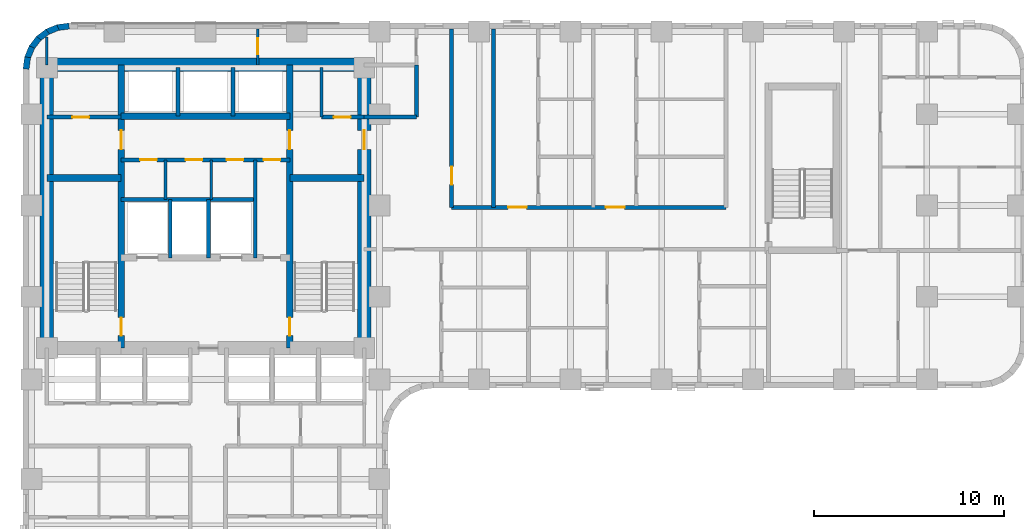
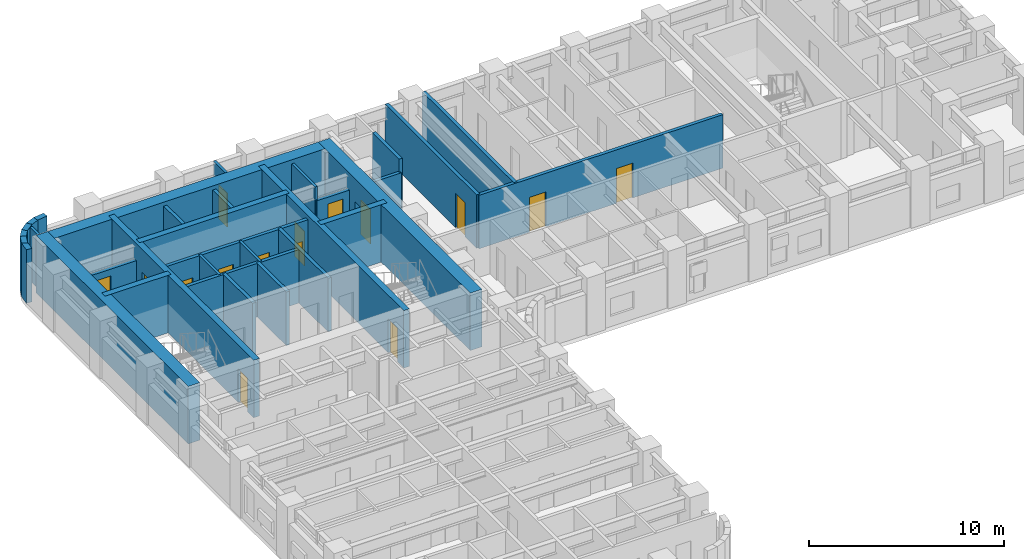
# One storey, part 6 of 11: 33 walls, 15 doors, 15 openings.
"""IFC4 building model written with IfcOpenShell, lengths in metres."""

from ifc_helpers import new_model, si_unit, direction, frame, frame_2d, origin, place, context, subcontext, project, spatial, rectangle, extrude, material, layer, layer_set, type_object, element, fill, save


model = new_model("IFC4")

# Units and contexts
model_context = context("Model", 3, precision=1e-05, world=origin(), true_north=direction((0.0, 1.0)))
body_context = subcontext(model_context, "Body", "Model", "MODEL_VIEW")
ifc_project = project(units=[si_unit("LENGTHUNIT", "METRE"), si_unit("AREAUNIT", "SQUARE_METRE"), si_unit("VOLUMEUNIT", "CUBIC_METRE"), si_unit("PLANEANGLEUNIT", "RADIAN"), si_unit("MASSUNIT", "GRAM", prefix="KILO")], contexts=[model_context])

# Site, building, storey
site_placement = place(None, origin())
site = spatial("IfcSite", under=ifc_project, at=site_placement, CompositionType="ELEMENT")
building_placement = place(site_placement, origin())
building = spatial("IfcBuilding", under=site, at=building_placement, Name="Orvandelia Arch Residences", CompositionType="ELEMENT")
storey_placement = place(building_placement, frame((0.0, 0.0, 25.0)))
storey = spatial("IfcBuildingStorey", under=building, at=storey_placement, Name="L05", CompositionType="ELEMENT", Elevation=25.0)

# Wall, openings, doors
ifc_material_1 = material(Name="Concrete C50/60", Category="concrete")
ifc_layer_1 = layer(ifc_material_1, 0.35009765625, Name="Concrete C50/60", Category="concrete")
ifc_layer_set_1 = layer_set([ifc_layer_1], Name="Concrete C50/60")
wall_type_1 = type_object("IfcWallType", Name="WL-CORE-350", PredefinedType="SHEAR", material=ifc_layer_set_1)
wall_1_placement = place(storey_placement, frame((9.9599609375, 30.89990234375, 0.0), z_axis=(0.0, 0.0, 1.0), x_axis=(0.0, 1.0, 0.0)))
wall_1 = element("IfcWall", 1, at=wall_1_placement, inside=storey, type_object=wall_type_1, Name="Core Shear Wall L05-WEB1", PredefinedType="SHEAR", context=body_context, shape_type="SweptSolid", body=[
    extrude(rectangle(XDim=14.900146484375, YDim=0.35009765625, at=frame_2d((7.4501953125, 0.0))), origin(), (0.0, 0.0, 1.0), 3.60009765625),
])
opening_1_placement = place(wall_1_placement, frame((0.64990234375, 0.0, 0.0)))
opening_1 = element("IfcOpeningElement", 2, at=opening_1_placement, cuts=wall_1, Name="Opening D7", PredefinedType="OPENING", context=body_context, shape_type="SweptSolid", body=[
    extrude(rectangle(XDim=0.949951171875, YDim=2.10009765625, at=frame_2d((0.47509765625, 1.050048828125))), frame((0.0, 0.18505859375, 0.0), z_axis=(0.0, -1.0, 0.0), x_axis=(1.0, 0.0, 0.0)), (0.0, 0.0, 1.0), 0.3701171875),
])
opening_2_placement = place(wall_1_placement, frame((10.449951171875, 0.0, 0.0)))
opening_2 = element("IfcOpeningElement", 3, at=opening_2_placement, cuts=wall_1, Name="Opening D6", PredefinedType="OPENING", context=body_context, shape_type="SweptSolid", body=[
    extrude(rectangle(XDim=1.0, YDim=2.14990234375, at=frame_2d((0.5, 1.074951171875))), frame((0.0, 0.18505859375, 0.0), z_axis=(0.0, -1.0, 0.0), x_axis=(1.0, 0.0, 0.0)), (0.0, 0.0, 1.0), 0.3701171875),
])
ifc_material_2 = material(Name="Smokeproof Painted Steel Fire Door", Category="steel")
door_type_1 = type_object("IfcDoorType", Name="DR-FD60-1000", OperationType="NOTDEFINED", PredefinedType="DOOR", material=ifc_material_2)
door_1_placement = place(opening_2_placement, origin())
door_1 = element("IfcDoor", 4, at=door_1_placement, inside=storey, type_object=door_type_1, Name="High-Rise Lift Hall West Vestibule Door L05", OperationType="SINGLE_SWING_LEFT", OverallHeight=2.14990234375, OverallWidth=1.0, PredefinedType="DOOR", context=body_context, shape_type="SweptSolid", body=[
    extrude(rectangle(XDim=1.0, YDim=2.14990234375, at=frame_2d((0.5, 1.074951171875))), frame((0.0, 0.02490234375, 0.0), z_axis=(0.0, -1.0, 0.0), x_axis=(1.0, 0.0, 0.0)), (0.0, 0.0, 1.0), 0.050048828125),
])
fill(opening_2, door_1)
ifc_material_3 = material(Name="Pressurised Stairwell Fire Door")
door_type_2 = type_object("IfcDoorType", Name="DR-STAIR-950", OperationType="NOTDEFINED", PredefinedType="DOOR", material=ifc_material_3)
door_2_placement = place(opening_1_placement, origin())
door_2 = element("IfcDoor", 5, at=door_2_placement, inside=storey, type_object=door_type_2, Name="Stairwell ST-1 Fire Door L05", OperationType="SINGLE_SWING_LEFT", OverallHeight=2.10009765625, OverallWidth=0.949951171875, PredefinedType="DOOR", context=body_context, shape_type="SweptSolid", body=[
    extrude(rectangle(XDim=0.949951171875, YDim=2.10009765625, at=frame_2d((0.47509765625, 1.050048828125))), frame((0.0, 0.02490234375, 0.0), z_axis=(0.0, -1.0, 0.0), x_axis=(1.0, 0.0, 0.0)), (0.0, 0.0, 1.0), 0.050048828125),
])
fill(opening_1, door_2)

wall_2_placement = place(storey_placement, frame((18.840087890625, 30.89990234375, 0.0), z_axis=(0.0, 0.0, 1.0), x_axis=(0.0, 1.0, 0.0)))
wall_2 = element("IfcWall", 6, at=wall_2_placement, inside=storey, type_object=wall_type_1, Name="Core Shear Wall L05-WEB2", PredefinedType="SHEAR", context=body_context, shape_type="SweptSolid", body=[
    extrude(rectangle(XDim=14.900146484375, YDim=0.35009765625, at=frame_2d((7.4501953125, 0.0))), origin(), (0.0, 0.0, 1.0), 3.60009765625),
])
opening_3_placement = place(wall_2_placement, frame((0.64990234375, 0.0, 0.0)))
opening_3 = element("IfcOpeningElement", 7, at=opening_3_placement, cuts=wall_2, Name="Opening D7", PredefinedType="OPENING", context=body_context, shape_type="SweptSolid", body=[
    extrude(rectangle(XDim=0.949951171875, YDim=2.10009765625, at=frame_2d((0.47509765625, 1.050048828125))), frame((0.0, 0.18505859375, 0.0), z_axis=(0.0, -1.0, 0.0), x_axis=(1.0, 0.0, 0.0)), (0.0, 0.0, 1.0), 0.3701171875),
])
opening_4_placement = place(wall_2_placement, frame((10.449951171875, 0.0, 0.0)))
opening_4 = element("IfcOpeningElement", 8, at=opening_4_placement, cuts=wall_2, Name="Opening D6", PredefinedType="OPENING", context=body_context, shape_type="SweptSolid", body=[
    extrude(rectangle(XDim=1.0, YDim=2.14990234375, at=frame_2d((0.5, 1.074951171875))), frame((0.0, 0.18505859375, 0.0), z_axis=(0.0, -1.0, 0.0), x_axis=(1.0, 0.0, 0.0)), (0.0, 0.0, 1.0), 0.3701171875),
])
door_3_placement = place(opening_4_placement, origin())
door_3 = element("IfcDoor", 9, at=door_3_placement, inside=storey, type_object=door_type_1, Name="High-Rise Lift Hall East Vestibule Door L05", OperationType="SINGLE_SWING_RIGHT", OverallHeight=2.14990234375, OverallWidth=1.0, PredefinedType="DOOR", context=body_context, shape_type="SweptSolid", body=[
    extrude(rectangle(XDim=1.0, YDim=2.14990234375, at=frame_2d((0.5, 1.074951171875))), frame((0.0, 0.02490234375, 0.0), z_axis=(0.0, -1.0, 0.0), x_axis=(1.0, 0.0, 0.0)), (0.0, 0.0, 1.0), 0.050048828125),
])
fill(opening_4, door_3)
door_4_placement = place(opening_3_placement, origin())
door_4 = element("IfcDoor", 10, at=door_4_placement, inside=storey, type_object=door_type_2, Name="Stairwell ST-2 Fire Door L05", OperationType="SINGLE_SWING_RIGHT", OverallHeight=2.10009765625, OverallWidth=0.949951171875, PredefinedType="DOOR", context=body_context, shape_type="SweptSolid", body=[
    extrude(rectangle(XDim=0.949951171875, YDim=2.10009765625, at=frame_2d((0.47509765625, 1.050048828125))), frame((0.0, 0.02490234375, 0.0), z_axis=(0.0, -1.0, 0.0), x_axis=(1.0, 0.0, 0.0)), (0.0, 0.0, 1.0), 0.050048828125),
])
fill(opening_3, door_4)

# Walls
for number, where, z_axis, x_axis, name in (
    (11, (6.050048828125, 39.85009765625, 0.0), (0.0, 0.0, 1.0), (1.0, 0.0, 0.0), "Core Shear Wall L05-HZ1"),
    (12, (18.840087890625, 39.85009765625, 0.0), (0.0, 0.0, 1.0), (1.0, 0.0, 0.0), "Core Shear Wall L05-HZ2"),
):
    element("IfcWall", number, at=place(storey_placement, frame(where, z_axis=z_axis, x_axis=x_axis)), inside=storey, type_object=wall_type_1, Name=name, PredefinedType="SHEAR", context=body_context, shape_type="SweptSolid", body=[
        extrude(rectangle(XDim=3.909912109375, YDim=0.35009765625, at=frame_2d((1.955078125, 0.0))), origin(), (0.0, 0.0, 1.0), 3.60009765625),
    ])
wall_3_placement = place(storey_placement, frame((9.9599609375, 43.10009765625, 0.0), z_axis=(0.0, 0.0, 1.0), x_axis=(1.0, 0.0, 0.0)))
element("IfcWall", 13, at=wall_3_placement, inside=storey, type_object=wall_type_1, Name="Core Shear Wall L05-HZ4", PredefinedType="SHEAR", context=body_context, shape_type="SweptSolid", body=[
    extrude(rectangle(XDim=8.880126953125, YDim=0.35009765625, at=frame_2d((4.43994140625, 0.0))), origin(), (0.0, 0.0, 1.0), 3.60009765625),
])
ifc_material_4 = material(Name="Concrete C80/95", Category="concrete")
ifc_layer_2 = layer(ifc_material_4, 0.699951171875, Name="Concrete C80/95", Category="concrete")
ifc_layer_set_2 = layer_set([ifc_layer_2], Name="Concrete C80/95")
wall_type_2 = type_object("IfcWallType", Name="WL-CORE-700", PredefinedType="SHEAR", material=ifc_layer_set_2)
wall_4_placement = place(storey_placement, frame((6.050048828125, 30.550048828125, 0.0), z_axis=(0.0, 0.0, 1.0), x_axis=(0.0, 1.0, 0.0)))
element("IfcWall", 14, at=wall_4_placement, inside=storey, type_object=wall_type_2, Name="Core Shear Wall L05-W", PredefinedType="SHEAR", context=body_context, shape_type="SweptSolid", body=[
    extrude(rectangle(XDim=15.599853515625, YDim=0.699951171875, at=frame_2d((7.7998046875, 0.0))), origin(), (0.0, 0.0, 1.0), 3.60009765625),
])

# Wall, opening, door
wall_5_placement = place(storey_placement, frame((22.75, 30.550048828125, 0.0), z_axis=(0.0, 0.0, 1.0), x_axis=(0.0, 1.0, 0.0)))
wall_5 = element("IfcWall", 15, at=wall_5_placement, inside=storey, type_object=wall_type_2, Name="Core Shear Wall L05-E", PredefinedType="SHEAR", context=body_context, shape_type="SweptSolid", body=[
    extrude(rectangle(XDim=15.599853515625, YDim=0.699951171875, at=frame_2d((7.7998046875, 0.0))), origin(), (0.0, 0.0, 1.0), 3.60009765625),
])
opening_5_placement = place(wall_5_placement, frame((10.800048828125, 0.0, 0.0)))
opening_5 = element("IfcOpeningElement", 16, at=opening_5_placement, cuts=wall_5, Name="Opening D6", PredefinedType="OPENING", context=body_context, shape_type="SweptSolid", body=[
    extrude(rectangle(XDim=1.0, YDim=2.14990234375, at=frame_2d((0.5, 1.074951171875))), frame((0.0, 0.35986328125, 0.0), z_axis=(0.0, -1.0, 0.0), x_axis=(1.0, 0.0, 0.0)), (0.0, 0.0, 1.0), 0.719970703125),
])
door_5_placement = place(opening_5_placement, origin())
door_5 = element("IfcDoor", 17, at=door_5_placement, inside=storey, type_object=door_type_1, Name="Core East Corridor Link Door L05", OperationType="SINGLE_SWING_LEFT", OverallHeight=2.14990234375, OverallWidth=1.0, PredefinedType="DOOR", context=body_context, shape_type="SweptSolid", body=[
    extrude(rectangle(XDim=1.0, YDim=2.14990234375, at=frame_2d((0.5, 1.074951171875))), frame((0.0, 0.02490234375, 0.0), z_axis=(0.0, -1.0, 0.0), x_axis=(1.0, 0.0, 0.0)), (0.0, 0.0, 1.0), 0.050048828125),
])
fill(opening_5, door_5)

# Wall
wall_6_placement = place(storey_placement, frame((6.050048828125, 45.800048828125, 0.0), z_axis=(0.0, 0.0, 1.0), x_axis=(1.0, 0.0, 0.0)))
element("IfcWall", 18, at=wall_6_placement, inside=storey, type_object=wall_type_2, Name="Core Shear Wall L05-N", PredefinedType="SHEAR", context=body_context, shape_type="SweptSolid", body=[
    extrude(rectangle(XDim=16.699951171875, YDim=0.699951171875, at=frame_2d((8.35009765625, 0.0))), origin(), (0.0, 0.0, 1.0), 3.60009765625),
])

# Wall, openings, doors
ifc_material_5 = material(Name="Fire-Rated Corridor Partition")
ifc_layer_3 = layer(ifc_material_5, 0.199951171875, Name="Fire-Rated Corridor Partition")
ifc_layer_set_3 = layer_set([ifc_layer_3], Name="Fire-Rated Corridor Partition")
wall_type_3 = type_object("IfcWallType", Name="WL-CORR-200", PredefinedType="PARTITIONING", material=ifc_layer_set_3)
wall_7_placement = place(storey_placement, frame((27.35009765625, 38.300048828125, 0.0), z_axis=(0.0, 0.0, 1.0), x_axis=(1.0, 0.0, 0.0)))
wall_7 = element("IfcWall", 19, at=wall_7_placement, inside=storey, type_object=wall_type_3, Name="Interior Partition Wall WL-L05-EM-N", PredefinedType="PARTITIONING", context=body_context, shape_type="SweptSolid", body=[
    extrude(rectangle(XDim=14.429931640625, YDim=0.199951171875, at=frame_2d((7.21484375, 0.0))), origin(), (0.0, 0.0, 1.0), 3.35009765625),
])
opening_6_placement = place(wall_7_placement, frame((2.969970703125, 0.0, 0.0)))
opening_6 = element("IfcOpeningElement", 20, at=opening_6_placement, cuts=wall_7, Name="Opening D1", PredefinedType="OPENING", context=body_context, shape_type="SweptSolid", body=[
    extrude(rectangle(XDim=0.97998046875, YDim=2.179931640625, at=frame_2d((0.489990234375, 1.08984375))), frame((0.0, 0.10986328125, 0.0), z_axis=(0.0, -1.0, 0.0), x_axis=(1.0, 0.0, 0.0)), (0.0, 0.0, 1.0), 0.219970703125),
])
opening_7_placement = place(wall_7_placement, frame((8.1201171875, 0.0, 0.0)))
opening_7 = element("IfcOpeningElement", 21, at=opening_7_placement, cuts=wall_7, Name="Opening D1", PredefinedType="OPENING", context=body_context, shape_type="SweptSolid", body=[
    extrude(rectangle(XDim=0.97998046875, YDim=2.179931640625, at=frame_2d((0.489990234375, 1.08984375))), frame((0.0, 0.10986328125, 0.0), z_axis=(0.0, -1.0, 0.0), x_axis=(1.0, 0.0, 0.0)), (0.0, 0.0, 1.0), 0.219970703125),
])
ifc_material_6 = material(Name="Solid-Core Timber Acoustic Fire Door", Category="wood")
door_type_3 = type_object("IfcDoorType", Name="DR-ENT-980", OperationType="NOTDEFINED", PredefinedType="DOOR", material=ifc_material_6)
door_6_placement = place(opening_6_placement, origin())
door_6 = element("IfcDoor", 22, at=door_6_placement, inside=storey, type_object=door_type_3, Name="Unit L05-09 Entrance Door", OperationType="SINGLE_SWING_LEFT", OverallHeight=2.179931640625, OverallWidth=0.97998046875, PredefinedType="DOOR", context=body_context, shape_type="SweptSolid", body=[
    extrude(rectangle(XDim=0.97998046875, YDim=2.179931640625, at=frame_2d((0.489990234375, 1.08984375))), frame((0.0, 0.02490234375, 0.0), z_axis=(0.0, -1.0, 0.0), x_axis=(1.0, 0.0, 0.0)), (0.0, 0.0, 1.0), 0.050048828125),
])
fill(opening_6, door_6)
door_7_placement = place(opening_7_placement, origin())
door_7 = element("IfcDoor", 23, at=door_7_placement, inside=storey, type_object=door_type_3, Name="Unit L05-10 Entrance Door", OperationType="SINGLE_SWING_RIGHT", OverallHeight=2.179931640625, OverallWidth=0.97998046875, PredefinedType="DOOR", context=body_context, shape_type="SweptSolid", body=[
    extrude(rectangle(XDim=0.97998046875, YDim=2.179931640625, at=frame_2d((0.489990234375, 1.08984375))), frame((0.0, 0.02490234375, 0.0), z_axis=(0.0, -1.0, 0.0), x_axis=(1.0, 0.0, 0.0)), (0.0, 0.0, 1.0), 0.050048828125),
])
fill(opening_7, door_7)

# Wall, opening, door
wall_8_placement = place(storey_placement, frame((27.35009765625, 38.300048828125, 0.0), z_axis=(0.0, 0.0, 1.0), x_axis=(0.0, 1.0, 0.0)))
wall_8 = element("IfcWall", 24, at=wall_8_placement, inside=storey, type_object=wall_type_3, Name="Interior Partition Wall WL-L05-EM-NCE", PredefinedType="PARTITIONING", context=body_context, shape_type="SweptSolid", body=[
    extrude(rectangle(XDim=9.3798828125, YDim=0.199951171875, at=frame_2d((4.68994140625, 0.0))), origin(), (0.0, 0.0, 1.0), 3.35009765625),
])
opening_8_placement = place(wall_8_placement, frame((1.199951171875, 0.0, 0.0)))
opening_8 = element("IfcOpeningElement", 25, at=opening_8_placement, cuts=wall_8, Name="Opening D2", PredefinedType="OPENING", context=body_context, shape_type="SweptSolid", body=[
    extrude(rectangle(XDim=0.949951171875, YDim=2.14990234375, at=frame_2d((0.47509765625, 1.074951171875))), frame((0.0, 0.10986328125, 0.0), z_axis=(0.0, -1.0, 0.0), x_axis=(1.0, 0.0, 0.0)), (0.0, 0.0, 1.0), 0.219970703125),
])
ifc_material_7 = material(Name="Solid-Core Timber Interior Fire Door", Category="wood")
door_type_4 = type_object("IfcDoorType", Name="DR-APT-950", OperationType="NOTDEFINED", PredefinedType="DOOR", material=ifc_material_7)
door_8_placement = place(opening_8_placement, origin())
door_8 = element("IfcDoor", 26, at=door_8_placement, inside=storey, type_object=door_type_4, Name="DR-L05-LDY", OperationType="SINGLE_SWING_RIGHT", OverallHeight=2.14990234375, OverallWidth=0.949951171875, PredefinedType="DOOR", context=body_context, shape_type="SweptSolid", body=[
    extrude(rectangle(XDim=0.949951171875, YDim=2.14990234375, at=frame_2d((0.47509765625, 1.074951171875))), frame((0.0, 0.02490234375, 0.0), z_axis=(0.0, -1.0, 0.0), x_axis=(1.0, 0.0, 0.0)), (0.0, 0.0, 1.0), 0.050048828125),
])
fill(opening_8, door_8)

# Walls
wall_9_placement = place(storey_placement, frame((22.75, 43.050048828125, 0.0), z_axis=(0.0, 0.0, 1.0), x_axis=(1.0, 0.0, 0.0)))
element("IfcWall", 27, at=wall_9_placement, inside=storey, type_object=wall_type_3, Name="Interior Partition Wall WL-L05-EM-LS", PredefinedType="PARTITIONING", context=body_context, shape_type="SweptSolid", body=[
    extrude(rectangle(XDim=2.75, YDim=0.199951171875, at=frame_2d((1.375, 0.0))), origin(), (0.0, 0.0, 1.0), 2.530029296875),
])
wall_10_placement = place(storey_placement, frame((25.5, 43.050048828125, 0.0), z_axis=(0.0, 0.0, 1.0), x_axis=(0.0, 1.0, 0.0)))
element("IfcWall", 28, at=wall_10_placement, inside=storey, type_object=wall_type_3, Name="Interior Partition Wall WL-L05-EM-LW2", PredefinedType="PARTITIONING", context=body_context, shape_type="SweptSolid", body=[
    extrude(rectangle(XDim=2.75, YDim=0.199951171875, at=frame_2d((1.375, 0.0))), origin(), (0.0, 0.0, 1.0), 3.35009765625),
])
ifc_material_8 = material(Name="Concrete C40/50", Category="concrete")
ifc_layer_4 = layer(ifc_material_8, 0.199951171875, Name="Concrete C40/50", Category="concrete")
ifc_layer_set_4 = layer_set([ifc_layer_4], Name="Concrete C40/50")
wall_type_4 = type_object("IfcWallType", Name="WL-DEM-200", PredefinedType="SOLIDWALL", material=ifc_layer_set_4)
wall_11_placement = place(storey_placement, frame((29.550048828125, 38.300048828125, 0.0), z_axis=(0.0, 0.0, 1.0), x_axis=(0.0, 1.0, 0.0)))
element("IfcWall", 29, at=wall_11_placement, inside=storey, type_object=wall_type_4, Name="Interior Partition Wall WL-L05-EM-LDE", PredefinedType="SOLIDWALL", context=body_context, shape_type="SweptSolid", body=[
    extrude(rectangle(XDim=9.3798828125, YDim=0.199951171875, at=frame_2d((4.68994140625, 0.0))), origin(), (0.0, 0.0, 1.0), 3.35009765625),
])
ifc_material_9 = material(Name="Precast concrete C40/50", Category="concrete")
ifc_layer_5 = layer(ifc_material_9, 0.320068359375, Name="Precast concrete C40/50", Category="concrete")
ifc_layer_set_5 = layer_set([ifc_layer_5], Name="Precast concrete C40/50")
wall_type_5 = type_object("IfcWallType", Name="WL-EXT-STONE-320", PredefinedType="STANDARD", material=ifc_layer_set_5)
for number, where, z_axis, x_axis, name in (
    (30, (4.95849609375, 45.5791015625, 0.0), (0.0, 0.0, 1.0), (0.130555323746, 0.9914410257, 0.0), "Coral-Limestone Precast Facade Wall L05-001"),
    (31, (5.029541015625, 46.159912109375, 0.0), (0.0, 0.0, 1.0), (0.382650053678, 0.92389335771, 0.0), "Coral-Limestone Precast Facade Wall L05-002"),
):
    element("IfcWall", number, at=place(storey_placement, frame(where, z_axis=z_axis, x_axis=x_axis)), inside=storey, type_object=wall_type_5, Name=name, PredefinedType="STANDARD", context=body_context, shape_type="SweptSolid", body=[
        extrude(rectangle(XDim=0.62646484375, YDim=0.320068359375, at=frame_2d((0.313232421875, 0.0))), origin(), (0.0, 0.0, 1.0), 3.35009765625),
    ])
wall_12_placement = place(storey_placement, frame((5.248291015625, 46.70263671875, 0.0), z_axis=(0.0, 0.0, 1.0), x_axis=(0.608938521285, 0.7932174212, 0.0)))
element("IfcWall", 32, at=wall_12_placement, inside=storey, type_object=wall_type_5, Name="Coral-Limestone Precast Facade Wall L05-003", PredefinedType="STANDARD", context=body_context, shape_type="SweptSolid", body=[
    extrude(rectangle(XDim=0.626708984375, YDim=0.320068359375, at=frame_2d((0.3134765625, 0.0))), origin(), (0.0, 0.0, 1.0), 3.35009765625),
])
wall_13_placement = place(storey_placement, frame((5.600341796875, 47.170166015625, 0.0), z_axis=(0.0, 0.0, 1.0), x_axis=(0.793405610854, 0.608693302629, 0.0)))
element("IfcWall", 33, at=wall_13_placement, inside=storey, type_object=wall_type_5, Name="Coral-Limestone Precast Facade Wall L05-004", PredefinedType="STANDARD", context=body_context, shape_type="SweptSolid", body=[
    extrude(rectangle(XDim=0.62646484375, YDim=0.320068359375, at=frame_2d((0.313232421875, 0.0))), origin(), (0.0, 0.0, 1.0), 3.35009765625),
])
wall_14_placement = place(storey_placement, frame((6.061279296875, 47.53076171875, 0.0), z_axis=(0.0, 0.0, 1.0), x_axis=(0.923836271867, 0.382787856107, 0.0)))
element("IfcWall", 34, at=wall_14_placement, inside=storey, type_object=wall_type_5, Name="Coral-Limestone Precast Facade Wall L05-005", PredefinedType="STANDARD", context=body_context, shape_type="SweptSolid", body=[
    extrude(rectangle(XDim=0.626220703125, YDim=0.320068359375, at=frame_2d((0.31298828125, 0.0))), origin(), (0.0, 0.0, 1.0), 3.35009765625),
])
wall_15_placement = place(storey_placement, frame((6.599609375, 47.759521484375, 0.0), z_axis=(0.0, 0.0, 1.0), x_axis=(0.991447664465, 0.130504898859, 0.0)))
element("IfcWall", 35, at=wall_15_placement, inside=storey, type_object=wall_type_5, Name="Coral-Limestone Precast Facade Wall L05-006", PredefinedType="STANDARD", context=body_context, shape_type="SweptSolid", body=[
    extrude(rectangle(XDim=0.626708984375, YDim=0.320068359375, at=frame_2d((0.3134765625, 0.0))), origin(), (0.0, 0.0, 1.0), 3.35009765625),
])
ifc_material_10 = material(Name="Acoustic Gypsum Stud Partition")
ifc_layer_6 = layer(ifc_material_10, 0.14990234375, Name="Acoustic Gypsum Stud Partition")
ifc_layer_set_6 = layer_set([ifc_layer_6], Name="Acoustic Gypsum Stud Partition")
wall_type_6 = type_object("IfcWallType", Name="WL-PART-150", PredefinedType="PARTITIONING", material=ifc_layer_set_6)
for number, where, z_axis, x_axis, name in (
    (36, (12.300048828125, 38.719970703125, 0.0), (0.0, 0.0, 1.0), (0.0, 1.0, 0.0), "Interior Partition Wall WL-L05-CSA-1"),
    (37, (14.699951171875, 38.719970703125, 0.0), (0.0, 0.0, 1.0), (0.0, 1.0, 0.0), "Interior Partition Wall WL-L05-CSA-2"),
):
    element("IfcWall", number, at=place(storey_placement, frame(where, z_axis=z_axis, x_axis=x_axis)), inside=storey, type_object=wall_type_6, Name=name, PredefinedType="PARTITIONING", context=body_context, shape_type="SweptSolid", body=[
        extrude(rectangle(XDim=2.080078125, YDim=0.14990234375, at=frame_2d((1.0400390625, 0.0))), origin(), (0.0, 0.0, 1.0), 3.35009765625),
    ])
wall_16_placement = place(storey_placement, frame((20.5, 43.050048828125, 0.0), z_axis=(0.0, 0.0, 1.0), x_axis=(0.0, 1.0, 0.0)))
element("IfcWall", 38, at=wall_16_placement, inside=storey, type_object=wall_type_6, Name="Interior Partition Wall WL-L05-CSB-2W", PredefinedType="PARTITIONING", context=body_context, shape_type="SweptSolid", body=[
    extrude(rectangle(XDim=2.599853515625, YDim=0.14990234375, at=frame_2d((1.2998046875, 0.0))), origin(), (0.0, 0.0, 1.0), 3.35009765625),
])
wall_17_placement = place(storey_placement, frame((6.050048828125, 45.800048828125, 0.0), z_axis=(0.0, 0.0, 1.0), x_axis=(0.0, 1.0, 0.0)))
element("IfcWall", 39, at=wall_17_placement, inside=storey, type_object=wall_type_6, Name="Interior Partition Wall WL-L05-NC-W6", PredefinedType="PARTITIONING", context=body_context, shape_type="SweptSolid", body=[
    extrude(rectangle(XDim=1.4599609375, YDim=0.14990234375, at=frame_2d((0.72998046875, 0.0))), origin(), (0.0, 0.0, 1.0), 3.35009765625),
])

# Wall, opening, door
wall_18_placement = place(storey_placement, frame((17.14990234375, 45.800048828125, 0.0), z_axis=(0.0, 0.0, 1.0), x_axis=(0.0, 1.0, 0.0)))
wall_18 = element("IfcWall", 40, at=wall_18_placement, inside=storey, type_object=wall_type_6, Name="Interior Partition Wall WL-L05-NC-M", PredefinedType="PARTITIONING", context=body_context, shape_type="SweptSolid", body=[
    extrude(rectangle(XDim=1.8798828125, YDim=0.14990234375, at=frame_2d((0.93994140625, 0.0))), origin(), (0.0, 0.0, 1.0), 3.35009765625),
])
opening_9_placement = place(wall_18_placement, frame((0.550048828125, 0.0, 0.0)))
opening_9 = element("IfcOpeningElement", 41, at=opening_9_placement, cuts=wall_18, Name="Opening D4", PredefinedType="OPENING", context=body_context, shape_type="SweptSolid", body=[
    extrude(rectangle(XDim=0.860107421875, YDim=2.10009765625, at=frame_2d((0.43017578125, 1.050048828125))), frame((0.0, 0.0849609375, 0.0), z_axis=(0.0, -1.0, 0.0), x_axis=(1.0, 0.0, 0.0)), (0.0, 0.0, 1.0), 0.169921875),
])
ifc_material_11 = material(Name="Moisture-Sealed Timber Bathroom Door", Category="wood")
door_type_5 = type_object("IfcDoorType", Name="DR-WET-900", OperationType="NOTDEFINED", PredefinedType="DOOR", material=ifc_material_11)
door_9_placement = place(opening_9_placement, origin())
door_9 = element("IfcDoor", 42, at=door_9_placement, inside=storey, type_object=door_type_5, Name="DR-L05-NCS1", OperationType="SINGLE_SWING_LEFT", OverallHeight=2.10009765625, OverallWidth=0.860107421875, PredefinedType="DOOR", context=body_context, shape_type="SweptSolid", body=[
    extrude(rectangle(XDim=0.860107421875, YDim=2.10009765625, at=frame_2d((0.43017578125, 1.050048828125))), frame((0.0, 0.02490234375, 0.0), z_axis=(0.0, -1.0, 0.0), x_axis=(1.0, 0.0, 0.0)), (0.0, 0.0, 1.0), 0.050048828125),
])
fill(opening_9, door_9)

# Walls
ifc_material_12 = material(Name="Fire-Rated Shaft Enclosure Wall")
ifc_layer_7 = layer(ifc_material_12, 0.199951171875, Name="Fire-Rated Shaft Enclosure Wall")
ifc_layer_set_7 = layer_set([ifc_layer_7], Name="Fire-Rated Shaft Enclosure Wall")
wall_type_7 = type_object("IfcWallType", Name="WL-SHAFT-200", PredefinedType="POLYGONAL", material=ifc_layer_set_7)
wall_19_placement = place(storey_placement, frame((9.9599609375, 38.719970703125, 0.0), z_axis=(0.0, 0.0, 1.0), x_axis=(1.0, 0.0, 0.0)))
element("IfcWall", 43, at=wall_19_placement, inside=storey, type_object=wall_type_7, Name="Interior Partition Wall WL-L05-FLN", PredefinedType="POLYGONAL", context=body_context, shape_type="SweptSolid", body=[
    extrude(rectangle(XDim=7.06005859375, YDim=0.199951171875, at=frame_2d((3.530029296875, 0.0))), origin(), (0.0, 0.0, 1.0), 3.35009765625),
])
for number, where, z_axis, x_axis, name in (
    (44, (12.550048828125, 35.64990234375, 0.0), (0.0, 0.0, 1.0), (0.0, 1.0, 0.0), "Interior Partition Wall WL-L05-FLM1"),
    (45, (14.550048828125, 35.64990234375, 0.0), (0.0, 0.0, 1.0), (0.0, 1.0, 0.0), "Interior Partition Wall WL-L05-FLM2"),
):
    element("IfcWall", number, at=place(storey_placement, frame(where, z_axis=z_axis, x_axis=x_axis)), inside=storey, type_object=wall_type_7, Name=name, PredefinedType="POLYGONAL", context=body_context, shape_type="SweptSolid", body=[
        extrude(rectangle(XDim=3.070068359375, YDim=0.199951171875, at=frame_2d((1.53515625, 0.0))), origin(), (0.0, 0.0, 1.0), 3.35009765625),
    ])
wall_20_placement = place(storey_placement, frame((17.02001953125, 35.64990234375, 0.0), z_axis=(0.0, 0.0, 1.0), x_axis=(0.0, 1.0, 0.0)))
element("IfcWall", 46, at=wall_20_placement, inside=storey, type_object=wall_type_7, Name="Interior Partition Wall WL-L05-FLM3", PredefinedType="POLYGONAL", context=body_context, shape_type="SweptSolid", body=[
    extrude(rectangle(XDim=5.150146484375, YDim=0.199951171875, at=frame_2d((2.5751953125, 0.0))), origin(), (0.0, 0.0, 1.0), 3.35009765625),
])

# Wall, openings, doors
wall_21_placement = place(storey_placement, frame((9.9599609375, 40.800048828125, 0.0), z_axis=(0.0, 0.0, 1.0), x_axis=(1.0, 0.0, 0.0)))
wall_21 = element("IfcWall", 47, at=wall_21_placement, inside=storey, type_object=wall_type_7, Name="Interior Partition Wall WL-L05-HLH-S", PredefinedType="POLYGONAL", context=body_context, shape_type="SweptSolid", body=[
    extrude(rectangle(XDim=8.880126953125, YDim=0.199951171875, at=frame_2d((4.43994140625, 0.0))), origin(), (0.0, 0.0, 1.0), 3.35009765625),
])
opening_10_placement = place(wall_21_placement, frame((7.5, 0.0, 0.0)))
opening_10 = element("IfcOpeningElement", 48, at=opening_10_placement, cuts=wall_21, Name="Opening D5", PredefinedType="OPENING", context=body_context, shape_type="SweptSolid", body=[
    extrude(rectangle(XDim=0.8798828125, YDim=2.10009765625, at=frame_2d((0.43994140625, 1.050048828125))), frame((0.0, 0.10986328125, 0.0), z_axis=(0.0, -1.0, 0.0), x_axis=(1.0, 0.0, 0.0)), (0.0, 0.0, 1.0), 0.219970703125),
])
opening_11_placement = place(wall_21_placement, frame((1.0, 0.0, 0.0)))
opening_11 = element("IfcOpeningElement", 49, at=opening_11_placement, cuts=wall_21, Name="Opening D5", PredefinedType="OPENING", context=body_context, shape_type="SweptSolid", body=[
    extrude(rectangle(XDim=0.8798828125, YDim=2.10009765625, at=frame_2d((0.43994140625, 1.050048828125))), frame((0.0, 0.10986328125, 0.0), z_axis=(0.0, -1.0, 0.0), x_axis=(1.0, 0.0, 0.0)), (0.0, 0.0, 1.0), 0.219970703125),
])
opening_12_placement = place(wall_21_placement, frame((3.39990234375, 0.0, 0.0)))
opening_12 = element("IfcOpeningElement", 50, at=opening_12_placement, cuts=wall_21, Name="Opening D5", PredefinedType="OPENING", context=body_context, shape_type="SweptSolid", body=[
    extrude(rectangle(XDim=0.8798828125, YDim=2.10009765625, at=frame_2d((0.43994140625, 1.050048828125))), frame((0.0, 0.10986328125, 0.0), z_axis=(0.0, -1.0, 0.0), x_axis=(1.0, 0.0, 0.0)), (0.0, 0.0, 1.0), 0.219970703125),
])
opening_13_placement = place(wall_21_placement, frame((5.550048828125, 0.0, 0.0)))
opening_13 = element("IfcOpeningElement", 51, at=opening_13_placement, cuts=wall_21, Name="Opening D5", PredefinedType="OPENING", context=body_context, shape_type="SweptSolid", body=[
    extrude(rectangle(XDim=0.8798828125, YDim=2.10009765625, at=frame_2d((0.43994140625, 1.050048828125))), frame((0.0, 0.10986328125, 0.0), z_axis=(0.0, -1.0, 0.0), x_axis=(1.0, 0.0, 0.0)), (0.0, 0.0, 1.0), 0.219970703125),
])
ifc_material_13 = material(Name="Painted Galvanised Steel Service Door", Category="steel")
door_type_6 = type_object("IfcDoorType", Name="DR-SRV-880", OperationType="NOTDEFINED", PredefinedType="DOOR", material=ifc_material_13)
door_10_placement = place(opening_10_placement, origin())
door_10 = element("IfcDoor", 52, at=door_10_placement, inside=storey, type_object=door_type_6, Name="Core Stairway Passage North Fire Door L05", OperationType="SINGLE_SWING_RIGHT", OverallHeight=2.10009765625, OverallWidth=0.8798828125, PredefinedType="DOOR", context=body_context, shape_type="SweptSolid", body=[
    extrude(rectangle(XDim=0.8798828125, YDim=2.10009765625, at=frame_2d((0.43994140625, 1.050048828125))), frame((0.0, 0.02490234375, 0.0), z_axis=(0.0, -1.0, 0.0), x_axis=(1.0, 0.0, 0.0)), (0.0, 0.0, 1.0), 0.050048828125),
])
fill(opening_10, door_10)
door_11_placement = place(opening_11_placement, origin())
door_11 = element("IfcDoor", 53, at=door_11_placement, inside=storey, type_object=door_type_6, Name="DR-L05-CSA1", OperationType="SINGLE_SWING_LEFT", OverallHeight=2.10009765625, OverallWidth=0.8798828125, PredefinedType="DOOR", context=body_context, shape_type="SweptSolid", body=[
    extrude(rectangle(XDim=0.8798828125, YDim=2.10009765625, at=frame_2d((0.43994140625, 1.050048828125))), frame((0.0, 0.02490234375, 0.0), z_axis=(0.0, -1.0, 0.0), x_axis=(1.0, 0.0, 0.0)), (0.0, 0.0, 1.0), 0.050048828125),
])
fill(opening_11, door_11)
door_12_placement = place(opening_12_placement, origin())
door_12 = element("IfcDoor", 54, at=door_12_placement, inside=storey, type_object=door_type_6, Name="DR-L05-CSA2", OperationType="SINGLE_SWING_RIGHT", OverallHeight=2.10009765625, OverallWidth=0.8798828125, PredefinedType="DOOR", context=body_context, shape_type="SweptSolid", body=[
    extrude(rectangle(XDim=0.8798828125, YDim=2.10009765625, at=frame_2d((0.43994140625, 1.050048828125))), frame((0.0, 0.02490234375, 0.0), z_axis=(0.0, -1.0, 0.0), x_axis=(1.0, 0.0, 0.0)), (0.0, 0.0, 1.0), 0.050048828125),
])
fill(opening_12, door_12)
door_13_placement = place(opening_13_placement, origin())
door_13 = element("IfcDoor", 55, at=door_13_placement, inside=storey, type_object=door_type_6, Name="DR-L05-CSA3", OperationType="SINGLE_SWING_LEFT", OverallHeight=2.10009765625, OverallWidth=0.8798828125, PredefinedType="DOOR", context=body_context, shape_type="SweptSolid", body=[
    extrude(rectangle(XDim=0.8798828125, YDim=2.10009765625, at=frame_2d((0.43994140625, 1.050048828125))), frame((0.0, 0.02490234375, 0.0), z_axis=(0.0, -1.0, 0.0), x_axis=(1.0, 0.0, 0.0)), (0.0, 0.0, 1.0), 0.050048828125),
])
fill(opening_13, door_13)

# Wall, opening, door
wall_22_placement = place(storey_placement, frame((20.5, 43.050048828125, 0.0), z_axis=(0.0, 0.0, 1.0), x_axis=(1.0, 0.0, 0.0)))
wall_22 = element("IfcWall", 56, at=wall_22_placement, inside=storey, type_object=wall_type_7, Name="Interior Partition Wall WL-L05-HLE-N", PredefinedType="POLYGONAL", context=body_context, shape_type="SweptSolid", body=[
    extrude(rectangle(XDim=2.25, YDim=0.199951171875, at=frame_2d((1.125, 0.0))), origin(), (0.0, 0.0, 1.0), 2.530029296875),
])
opening_14_placement = place(wall_22_placement, frame((0.64990234375, 0.0, 0.0)))
opening_14 = element("IfcOpeningElement", 57, at=opening_14_placement, cuts=wall_22, Name="Opening D5", PredefinedType="OPENING", context=body_context, shape_type="SweptSolid", body=[
    extrude(rectangle(XDim=0.8798828125, YDim=2.10009765625, at=frame_2d((0.43994140625, 1.050048828125))), frame((0.0, 0.10986328125, 0.0), z_axis=(0.0, -1.0, 0.0), x_axis=(1.0, 0.0, 0.0)), (0.0, 0.0, 1.0), 0.219970703125),
])
door_14_placement = place(opening_14_placement, origin())
door_14 = element("IfcDoor", 58, at=door_14_placement, inside=storey, type_object=door_type_6, Name="DR-L05-CSB1", OperationType="SINGLE_SWING_RIGHT", OverallHeight=2.10009765625, OverallWidth=0.8798828125, PredefinedType="DOOR", context=body_context, shape_type="SweptSolid", body=[
    extrude(rectangle(XDim=0.8798828125, YDim=2.10009765625, at=frame_2d((0.43994140625, 1.050048828125))), frame((0.0, 0.02490234375, 0.0), z_axis=(0.0, -1.0, 0.0), x_axis=(1.0, 0.0, 0.0)), (0.0, 0.0, 1.0), 0.050048828125),
])
fill(opening_14, door_14)

wall_23_placement = place(storey_placement, frame((6.050048828125, 43.050048828125, 0.0), z_axis=(0.0, 0.0, 1.0), x_axis=(1.0, 0.0, 0.0)))
wall_23 = element("IfcWall", 59, at=wall_23_placement, inside=storey, type_object=wall_type_7, Name="Interior Partition Wall WL-L05-HLW-N", PredefinedType="POLYGONAL", context=body_context, shape_type="SweptSolid", body=[
    extrude(rectangle(XDim=3.909912109375, YDim=0.199951171875, at=frame_2d((1.955078125, 0.0))), origin(), (0.0, 0.0, 1.0), 2.530029296875),
])
opening_15_placement = place(wall_23_placement, frame((1.35009765625, 0.0, 0.0)))
opening_15 = element("IfcOpeningElement", 60, at=opening_15_placement, cuts=wall_23, Name="Opening D5", PredefinedType="OPENING", context=body_context, shape_type="SweptSolid", body=[
    extrude(rectangle(XDim=0.8798828125, YDim=2.10009765625, at=frame_2d((0.43994140625, 1.050048828125))), frame((0.0, 0.10986328125, 0.0), z_axis=(0.0, -1.0, 0.0), x_axis=(1.0, 0.0, 0.0)), (0.0, 0.0, 1.0), 0.219970703125),
])
door_15_placement = place(opening_15_placement, origin())
door_15 = element("IfcDoor", 61, at=door_15_placement, inside=storey, type_object=door_type_6, Name="Riser Service Door L05", OperationType="SINGLE_SWING_RIGHT", OverallHeight=2.10009765625, OverallWidth=0.8798828125, PredefinedType="DOOR", context=body_context, shape_type="SweptSolid", body=[
    extrude(rectangle(XDim=0.8798828125, YDim=2.10009765625, at=frame_2d((0.43994140625, 1.050048828125))), frame((0.0, 0.02490234375, 0.0), z_axis=(0.0, -1.0, 0.0), x_axis=(1.0, 0.0, 0.0)), (0.0, 0.0, 1.0), 0.050048828125),
])
fill(opening_15, door_15)

# Walls
for number, where, z_axis, x_axis, name in (
    (62, (12.949951171875, 43.10009765625, 0.0), (0.0, 0.0, 1.0), (0.0, 1.0, 0.0), "Interior Partition Wall WL-L05-PHD1"),
    (63, (15.85009765625, 43.10009765625, 0.0), (0.0, 0.0, 1.0), (0.0, 1.0, 0.0), "Interior Partition Wall WL-L05-PHD2"),
):
    element("IfcWall", number, at=place(storey_placement, frame(where, z_axis=z_axis, x_axis=x_axis)), inside=storey, type_object=wall_type_7, Name=name, PredefinedType="POLYGONAL", context=body_context, shape_type="SweptSolid", body=[
        extrude(rectangle(XDim=2.5498046875, YDim=0.199951171875, at=frame_2d((1.27490234375, 0.0))), origin(), (0.0, 0.0, 1.0), 3.35009765625),
    ])

save(model, "model.ifc")
